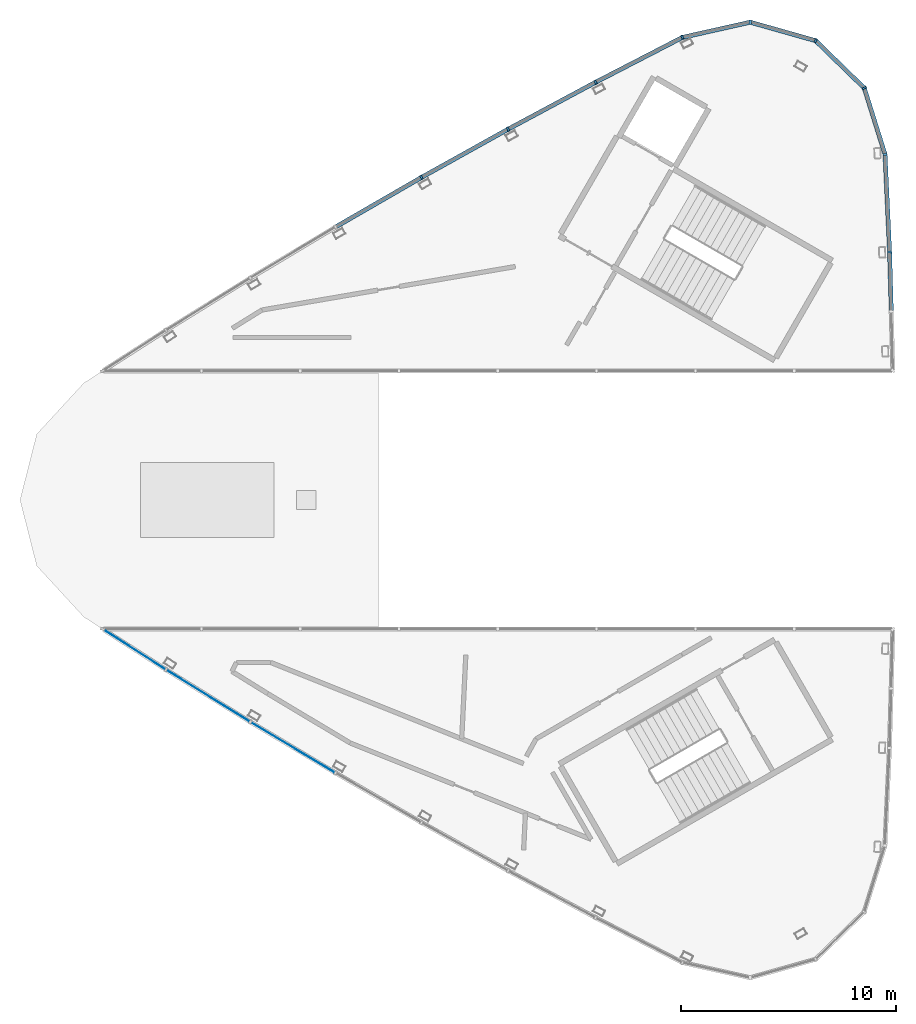
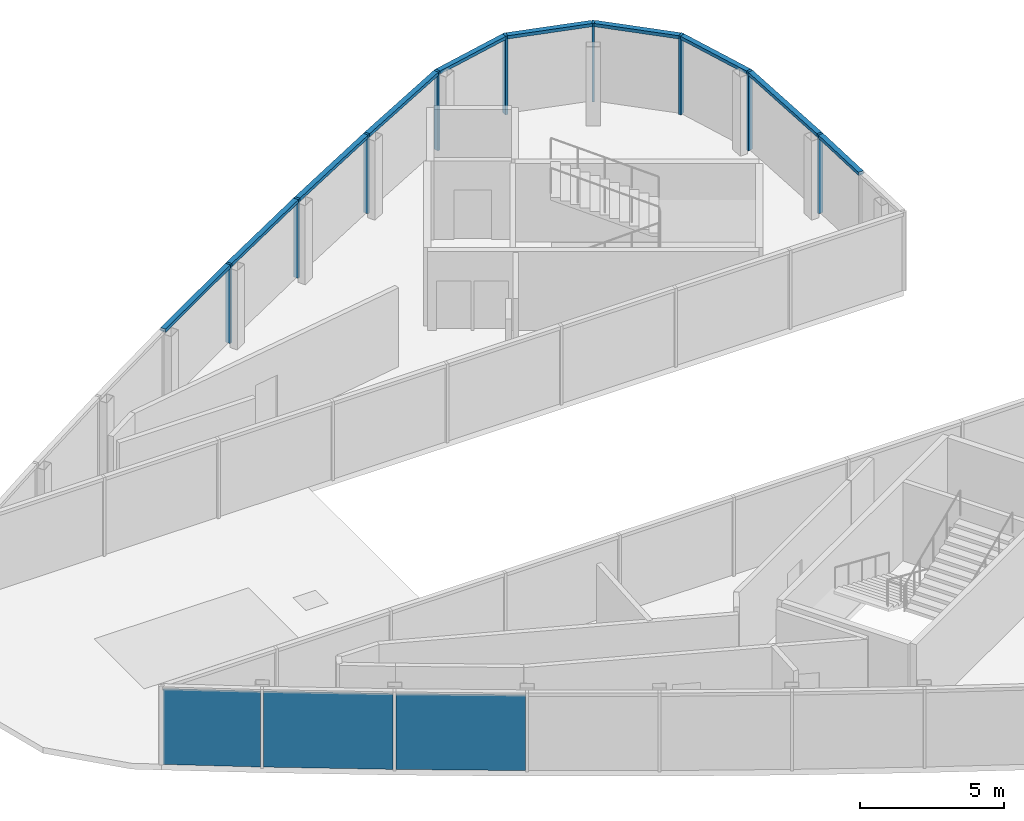
# One storey, part 3 of 6: 19 members, 3 plates, 2 elements without a shape of their own.
"""IFC4 building model written with IfcOpenShell, lengths in metres."""

from ifc_helpers import new_model, si_unit, direction, frame, origin, origin_2d, place, context, subcontext, project, spatial, rectangle, extrude, material, layer, layer_set, material_profile, profile_set, type_object, element, aggregate, save


model = new_model("IFC4")

# Units and contexts
model_context = context("Model", 3, precision=1e-05, world=origin(), true_north=direction((0.0, 1.0)))
body_context = subcontext(model_context, "Body", "Model", "MODEL_VIEW")
ifc_project = project(units=[si_unit("LENGTHUNIT", "METRE"), si_unit("AREAUNIT", "SQUARE_METRE"), si_unit("VOLUMEUNIT", "CUBIC_METRE"), si_unit("PLANEANGLEUNIT", "RADIAN"), si_unit("MASSUNIT", "GRAM", prefix="KILO")], contexts=[model_context])

# Site, building, storey
site_placement = place(None, origin())
site = spatial("IfcSite", under=ifc_project, at=site_placement, CompositionType="ELEMENT")
building_placement = place(site_placement, origin())
building = spatial("IfcBuilding", under=site, at=building_placement, Name="Tamra Quay Hotel Tower", CompositionType="ELEMENT")
storey_placement = place(building_placement, frame((0.0, 0.0, 331.39990234375)))
storey = spatial("IfcBuildingStorey", under=building, at=storey_placement, Name="Roof crown 4", CompositionType="ELEMENT", Elevation=331.39990234375)

# Curtain wall, members
ifc_material_1 = material(Name="Aluminium 6063 anodised dark grey", Category="aluminium")
curtain_wall_type = type_object("IfcCurtainWallType", Name="CW6 CURTAIN WALL", PredefinedType="NOTDEFINED", material=ifc_material_1)
curtain_wall_1_placement = place(storey_placement, origin())
curtain_wall_1 = element("IfcCurtainWall", 1, at=curtain_wall_1_placement, inside=storey, type_object=curtain_wall_type, Name="CW6 lantern A face Roof crown 4", PredefinedType="NOTDEFINED")
ifc_material_profile_1 = material_profile(ifc_material_1, rectangle(XDim=0.199951171875, YDim=0.10009765625, at=origin_2d()), Name="MULLION 100X200")
ifc_profile_set_1 = profile_set([ifc_material_profile_1], Name="Aluminium 6063 anodised dark grey")
member_type_1 = type_object("IfcMemberType", Name="MULLION CW6", PredefinedType="MULLION", material=ifc_profile_set_1)
member_1_placement = place(storey_placement, frame((15.767822265625, 11.528564453125, 0.0), z_axis=(0.0, 0.0, 1.0), x_axis=(0.999287700876, 0.037737128642, 0.0)))
member_1 = element("IfcMember", 2, at=member_1_placement, type_object=member_type_1, Name="CW6 mullion Roof crown 4.A.1", PredefinedType="MULLION", context=body_context, shape_type="SweptSolid", body=[
    extrude(rectangle(XDim=0.199951171875, YDim=0.10009765625, at=origin_2d()), origin(), (0.0, 0.0, 1.0), 3.35009765625),
])
member_2_placement = place(storey_placement, frame((15.555419921875, 16.063720703125, 0.0), z_axis=(0.0, 0.0, 1.0), x_axis=(0.984739916253, 0.174032460585, 0.0)))
member_2 = element("IfcMember", 3, at=member_2_placement, type_object=member_type_1, Name="CW6 mullion Roof crown 4.A.2", PredefinedType="MULLION", context=body_context, shape_type="SweptSolid", body=[
    extrude(rectangle(XDim=0.199951171875, YDim=0.10009765625, at=origin_2d()), origin(), (0.0, 0.0, 1.0), 3.35009765625),
])
member_3_placement = place(storey_placement, frame((14.5908203125, 19.149169921875, 0.0), z_axis=(0.0, 0.0, 1.0), x_axis=(0.851964184595, 0.523600065094, 0.0)))
member_3 = element("IfcMember", 4, at=member_3_placement, type_object=member_type_1, Name="CW6 mullion Roof crown 4.A.3", PredefinedType="MULLION", context=body_context, shape_type="SweptSolid", body=[
    extrude(rectangle(XDim=0.199951171875, YDim=0.10009765625, at=origin_2d()), origin(), (0.0, 0.0, 1.0), 3.35009765625),
])
member_4_placement = place(storey_placement, frame((12.3271484375, 21.351318359375, 0.0), z_axis=(0.0, 0.0, 1.0), x_axis=(0.5, 0.866025403784, 0.0)))
member_4 = element("IfcMember", 5, at=member_4_placement, type_object=member_type_1, Name="CW6 mullion Roof crown 4.A.4", PredefinedType="MULLION", context=body_context, shape_type="SweptSolid", body=[
    extrude(rectangle(XDim=0.199951171875, YDim=0.10009765625, at=origin_2d()), origin(), (0.0, 0.0, 1.0), 3.35009765625),
])
member_5_placement = place(storey_placement, frame((9.288330078125, 22.21044921875, 0.0), z_axis=(0.0, 0.0, 1.0), x_axis=(0.027468865497, 0.999622659521, 0.0)))
member_5 = element("IfcMember", 6, at=member_5_placement, type_object=member_type_1, Name="CW6 mullion Roof crown 4.A.5", PredefinedType="MULLION", context=body_context, shape_type="SweptSolid", body=[
    extrude(rectangle(XDim=0.199951171875, YDim=0.10009765625, at=origin_2d()), origin(), (0.0, 0.0, 1.0), 3.35009765625),
])
member_6_placement = place(storey_placement, frame((6.134033203125, 21.503173828125, 0.0), z_axis=(0.0, 0.0, 1.0), x_axis=(-0.341653426177, 0.939826013888, 0.0)))
member_6 = element("IfcMember", 7, at=member_6_placement, type_object=member_type_1, Name="CW6 mullion Roof crown 4.A.6", PredefinedType="MULLION", context=body_context, shape_type="SweptSolid", body=[
    extrude(rectangle(XDim=0.199951171875, YDim=0.10009765625, at=origin_2d()), origin(), (0.0, 0.0, 1.0), 3.35009765625),
])
member_7_placement = place(storey_placement, frame((2.10009765625, 19.419677734375, 0.0), z_axis=(0.0, 0.0, 1.0), x_axis=(-0.465815600445, 0.884881814923, 0.0)))
member_7 = element("IfcMember", 8, at=member_7_placement, type_object=member_type_1, Name="CW6 mullion Roof crown 4.A.7", PredefinedType="MULLION", context=body_context, shape_type="SweptSolid", body=[
    extrude(rectangle(XDim=0.199951171875, YDim=0.10009765625, at=origin_2d()), origin(), (0.0, 0.0, 1.0), 3.35009765625),
])
member_8_placement = place(storey_placement, frame((-1.96435546875, 17.239501953125, 0.0), z_axis=(0.0, 0.0, 1.0), x_axis=(-0.479565116943, 0.877506295483, 0.0)))
member_8 = element("IfcMember", 9, at=member_8_placement, type_object=member_type_1, Name="CW6 mullion Roof crown 4.A.8", PredefinedType="MULLION", context=body_context, shape_type="SweptSolid", body=[
    extrude(rectangle(XDim=0.199951171875, YDim=0.10009765625, at=origin_2d()), origin(), (0.0, 0.0, 1.0), 3.35009765625),
])
member_9_placement = place(storey_placement, frame((-5.99462890625, 14.995849609375, 0.0), z_axis=(0.0, 0.0, 1.0), x_axis=(-0.493215722033, 0.869907036148, 0.0)))
member_9 = element("IfcMember", 10, at=member_9_placement, type_object=member_type_1, Name="CW6 mullion Roof crown 4.A.9", PredefinedType="MULLION", context=body_context, shape_type="SweptSolid", body=[
    extrude(rectangle(XDim=0.199951171875, YDim=0.10009765625, at=origin_2d()), origin(), (0.0, 0.0, 1.0), 3.35009765625),
])
ifc_material_profile_2 = material_profile(ifc_material_1, rectangle(XDim=0.199951171875, YDim=0.139892578125, at=origin_2d()), Name="TRANSOM 200X140")
ifc_profile_set_2 = profile_set([ifc_material_profile_2], Name="Aluminium 6063 anodised dark grey")
member_type_2 = type_object("IfcMemberType", Name="TRANSOM CW6", PredefinedType="USERDEFINED", material=ifc_profile_set_2)
member_10_placement = place(storey_placement, frame((15.765625, 11.578369140625, 3.280029296875), z_axis=(-0.046844159112, 0.998902209807, 0.0), x_axis=(-0.998902209807, -0.046844159112, 0.0)))
member_10 = element("IfcMember", 11, at=member_10_placement, type_object=member_type_2, Name="CW6 transom Roof crown 4.A.1", ObjectType="TRANSOM", PredefinedType="USERDEFINED", context=body_context, shape_type="SweptSolid", body=[
    extrude(rectangle(XDim=0.199951171875, YDim=0.139892578125, at=origin_2d()), origin(), (0.0, 0.0, 1.0), 4.4404296875),
])
member_11_placement = place(storey_placement, frame((15.54052734375, 16.111572265625, 3.280029296875), z_axis=(-0.298403676177, 0.954439755063, 0.0), x_axis=(-0.954439755063, -0.298403676177, 0.0)))
member_11 = element("IfcMember", 12, at=member_11_placement, type_object=member_type_2, Name="CW6 transom Roof crown 4.A.2", ObjectType="TRANSOM", PredefinedType="USERDEFINED", context=body_context, shape_type="SweptSolid", body=[
    extrude(rectangle(XDim=0.199951171875, YDim=0.139892578125, at=origin_2d()), origin(), (0.0, 0.0, 1.0), 3.1328125),
])
member_12_placement = place(storey_placement, frame((14.554931640625, 19.18408203125, 3.280029296875), z_axis=(-0.716779852689, 0.697299535909, 0.0), x_axis=(-0.697299535909, -0.716779852689, 0.0)))
member_12 = element("IfcMember", 13, at=member_12_placement, type_object=member_type_2, Name="CW6 transom Roof crown 4.A.3", ObjectType="TRANSOM", PredefinedType="USERDEFINED", context=body_context, shape_type="SweptSolid", body=[
    extrude(rectangle(XDim=0.199951171875, YDim=0.139892578125, at=origin_2d()), origin(), (0.0, 0.0, 1.0), 3.057861328125),
])
member_13_placement = place(storey_placement, frame((12.279052734375, 21.364990234375, 3.280029296875), z_axis=(-0.962273511824, 0.272083973143, 0.0), x_axis=(-0.272083973143, -0.962273511824, 0.0)))
member_13 = element("IfcMember", 14, at=member_13_placement, type_object=member_type_2, Name="CW6 transom Roof crown 4.A.4", ObjectType="TRANSOM", PredefinedType="USERDEFINED", context=body_context, shape_type="SweptSolid", body=[
    extrude(rectangle(XDim=0.199951171875, YDim=0.139892578125, at=origin_2d()), origin(), (0.0, 0.0, 1.0), 3.05810546875),
])
member_14_placement = place(storey_placement, frame((9.239501953125, 22.19970703125, 3.280029296875), z_axis=(-0.97575974355, -0.218844517563, 0.0), x_axis=(0.218844517563, -0.97575974355, 0.0)))
member_14 = element("IfcMember", 15, at=member_14_placement, type_object=member_type_2, Name="CW6 transom Roof crown 4.A.5", ObjectType="TRANSOM", PredefinedType="USERDEFINED", context=body_context, shape_type="SweptSolid", body=[
    extrude(rectangle(XDim=0.199951171875, YDim=0.139892578125, at=origin_2d()), origin(), (0.0, 0.0, 1.0), 3.132568359375),
])
member_15_placement = place(storey_placement, frame((6.089599609375, 21.480224609375, 3.280029296875), z_axis=(-0.888489056093, -0.458897806928, 0.0), x_axis=(0.458897806928, -0.888489056093, 0.0)))
member_15 = element("IfcMember", 16, at=member_15_placement, type_object=member_type_2, Name="CW6 transom Roof crown 4.A.6", ObjectType="TRANSOM", PredefinedType="USERDEFINED", context=body_context, shape_type="SweptSolid", body=[
    extrude(rectangle(XDim=0.199951171875, YDim=0.139892578125, at=origin_2d()), origin(), (0.0, 0.0, 1.0), 4.440185546875),
])
member_16_placement = place(storey_placement, frame((2.055908203125, 19.39599609375, 3.280029296875), z_axis=(-0.881213593075, -0.47271831293, 0.0), x_axis=(0.47271831293, -0.881213593075, 0.0)))
member_16 = element("IfcMember", 17, at=member_16_placement, type_object=member_type_2, Name="CW6 transom Roof crown 4.A.7", ObjectType="TRANSOM", PredefinedType="USERDEFINED", context=body_context, shape_type="SweptSolid", body=[
    extrude(rectangle(XDim=0.199951171875, YDim=0.139892578125, at=origin_2d()), origin(), (0.0, 0.0, 1.0), 4.51220703125),
])
member_17_placement = place(storey_placement, frame((-2.008056640625, 17.215087890625, 3.280029296875), z_axis=(-0.8737256573, -0.486419033114, 0.0), x_axis=(0.486419033114, -0.8737256573, 0.0)))
member_17 = element("IfcMember", 18, at=member_17_placement, type_object=member_type_2, Name="CW6 transom Roof crown 4.A.8", ObjectType="TRANSOM", PredefinedType="USERDEFINED", context=body_context, shape_type="SweptSolid", body=[
    extrude(rectangle(XDim=0.199951171875, YDim=0.139892578125, at=origin_2d()), origin(), (0.0, 0.0, 1.0), 4.5126953125),
])
member_18_placement = place(storey_placement, frame((-6.0380859375, 14.970703125, 3.280029296875), z_axis=(-0.86601710485, -0.5000143739, 0.0), x_axis=(0.5000143739, -0.86601710485, 0.0)))
member_18 = element("IfcMember", 19, at=member_18_placement, type_object=member_type_2, Name="CW6 transom Roof crown 4.A.9", ObjectType="TRANSOM", PredefinedType="USERDEFINED", context=body_context, shape_type="SweptSolid", body=[
    extrude(rectangle(XDim=0.199951171875, YDim=0.139892578125, at=origin_2d()), origin(), (0.0, 0.0, 1.0), 4.512451171875),
])
member_19_placement = place(storey_placement, frame((15.845703125, 8.814208984375, 3.280029296875), z_axis=(-0.02866959947, 0.999588942549, 0.0), x_axis=(-0.999588942549, -0.02866959947, 0.0)))
member_19 = element("IfcMember", 20, at=member_19_placement, type_object=member_type_2, Name="CW6 transom Roof crown 4.A.22", ObjectType="TRANSOM", PredefinedType="USERDEFINED", context=body_context, shape_type="SweptSolid", body=[
    extrude(rectangle(XDim=0.199951171875, YDim=0.139892578125, at=origin_2d()), origin(), (0.0, 0.0, 1.0), 2.665283203125),
])
aggregate(curtain_wall_1, [member_1, member_10, member_2, member_11, member_3, member_12, member_4, member_13, member_5, member_14, member_6, member_15, member_7, member_16, member_8, member_17, member_9, member_18, member_19])

# Curtain wall, plates
curtain_wall_2_placement = place(storey_placement, origin())
curtain_wall_2 = element("IfcCurtainWall", 21, at=curtain_wall_2_placement, inside=storey, type_object=curtain_wall_type, Name="CW6 lantern B face Roof crown 4", PredefinedType="NOTDEFINED")
ifc_material_2 = material(Name="Glass clear laminated low-iron", Category="glass")
ifc_layer = layer(ifc_material_2, 0.030029296875)
ifc_layer_set = layer_set([ifc_layer], Name="GLASS PANEL CW6")
plate_type = type_object("IfcPlateType", Name="GLASS PANEL CW6", PredefinedType="CURTAIN_PANEL", material=ifc_layer_set)
plate_1_placement = place(storey_placement, frame((-19.341796875, -6.945556640625, 0.0), z_axis=(0.0, 0.0, 1.0), x_axis=(0.841664964506, -0.54000008104, 0.0)))
plate_1 = element("IfcPlate", 22, at=plate_1_placement, type_object=plate_type, Name="CW6 glass Roof crown 4.B.9", PredefinedType="CURTAIN_PANEL", context=body_context, shape_type="SweptSolid", body=[
    extrude(rectangle(XDim=3.402099609375, YDim=0.030029296875, at=origin_2d()), origin(), (0.0, 0.0, 1.0), 3.2099609375),
])
plate_2_placement = place(storey_placement, frame((-15.90771484375, -9.10595703125, 0.0), z_axis=(0.0, 0.0, 1.0), x_axis=(0.849981732244, -0.526812162779, 0.0)))
plate_2 = element("IfcPlate", 23, at=plate_2_placement, type_object=plate_type, Name="CW6 glass Roof crown 4.B.10", PredefinedType="CURTAIN_PANEL", context=body_context, shape_type="SweptSolid", body=[
    extrude(rectangle(XDim=4.51220703125, YDim=0.030029296875, at=origin_2d()), origin(), (0.0, 0.0, 1.0), 3.2099609375),
])
plate_3_placement = place(storey_placement, frame((-11.968505859375, -11.505126953125, 0.0), z_axis=(0.0, 0.0, 1.0), x_axis=(0.858103653871, -0.513476503078, 0.0)))
plate_3 = element("IfcPlate", 24, at=plate_3_placement, type_object=plate_type, Name="CW6 glass Roof crown 4.B.11", PredefinedType="CURTAIN_PANEL", context=body_context, shape_type="SweptSolid", body=[
    extrude(rectangle(XDim=4.5126953125, YDim=0.030029296875, at=origin_2d()), origin(), (0.0, 0.0, 1.0), 3.2099609375),
])
aggregate(curtain_wall_2, [plate_1, plate_2, plate_3])

save(model, "model.ifc")
